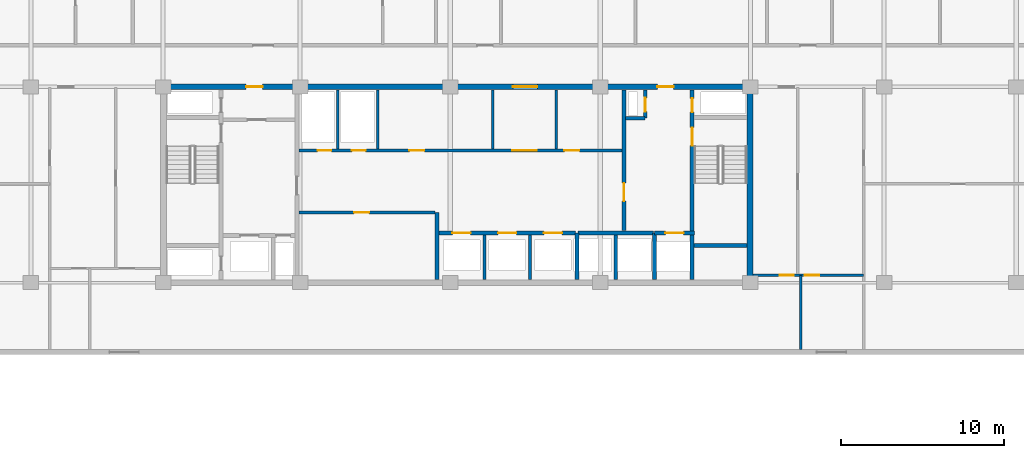
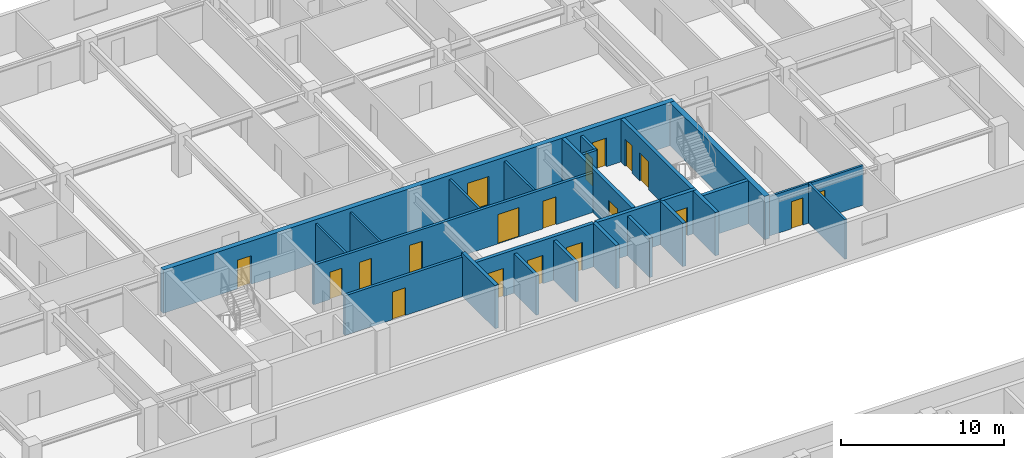
# One storey, part 12 of 22: 24 walls, 19 doors, 19 openings.
"""IFC4 building model written with IfcOpenShell, lengths in metres."""

from ifc_helpers import new_model, si_unit, direction, frame, frame_2d, origin, place, context, subcontext, project, spatial, rectangle, extrude, material, layer, layer_set, type_object, element, fill, save


model = new_model("IFC4")

# Units and contexts
model_context = context("Model", 3, precision=1e-05, world=origin(), true_north=direction((0.0, 1.0)))
body_context = subcontext(model_context, "Body", "Model", "MODEL_VIEW")
ifc_project = project(units=[si_unit("LENGTHUNIT", "METRE"), si_unit("AREAUNIT", "SQUARE_METRE"), si_unit("VOLUMEUNIT", "CUBIC_METRE"), si_unit("PLANEANGLEUNIT", "RADIAN"), si_unit("MASSUNIT", "GRAM", prefix="KILO")], contexts=[model_context])

# Site, building, storey
site_placement = place(None, origin())
site = spatial("IfcSite", under=ifc_project, at=site_placement, CompositionType="ELEMENT")
building_placement = place(site_placement, origin())
building = spatial("IfcBuilding", under=site, at=building_placement, Name="Korimba Cascade Residences", CompositionType="ELEMENT")
storey_placement = place(building_placement, frame((0.0, 0.0, 126.300048828125)))
storey = spatial("IfcBuildingStorey", under=building, at=storey_placement, Name="L36", CompositionType="ELEMENT", Elevation=126.300048828125)

# Wall
ifc_material_1 = material(Name="Concrete C65/80", Category="concrete")
ifc_layer_1 = layer(ifc_material_1, 0.35009765625)
ifc_layer_set_1 = layer_set([ifc_layer_1], Name="Concrete C65/80")
wall_type_1 = type_object("IfcWallType", Name="WAL-CORE-350", PredefinedType="SHEAR", material=ifc_layer_set_1)
wall_1_placement = place(storey_placement, frame((112.074951171875, 55.375, 0.0), z_axis=(0.0, 0.0, 1.0), x_axis=(0.0, 1.0, 0.0)))
element("IfcWall", 1, at=wall_1_placement, inside=storey, type_object=wall_type_1, Name="L36 Core Shear Wall CW-L36-T1-E", PredefinedType="SHEAR", context=body_context, shape_type="SweptSolid", body=[
    extrude(rectangle(XDim=11.64990234375, YDim=0.35009765625, at=frame_2d((5.824951171875, 0.0))), origin(), (0.0, 0.0, 1.0), 3.25),
])

# Wall, openings, doors
wall_2_placement = place(storey_placement, frame((75.949951171875, 67.199951171875, 0.0), z_axis=(0.0, 0.0, 1.0), x_axis=(1.0, 0.0, 0.0)))
wall_2 = element("IfcWall", 2, at=wall_2_placement, inside=storey, type_object=wall_type_1, Name="L36 Core Shear Wall CW-L36-T1-N", PredefinedType="SHEAR", context=body_context, shape_type="SweptSolid", body=[
    extrude(rectangle(XDim=36.300048828125, YDim=0.35009765625, at=frame_2d((18.14990234375, 0.0))), origin(), (0.0, 0.0, 1.0), 3.25),
])
opening_1_placement = place(wall_2_placement, frame((5.25, 0.0, 0.0)))
opening_1 = element("IfcOpeningElement", 3, at=opening_1_placement, cuts=wall_2, Name="Opening D-FD5", PredefinedType="OPENING", context=body_context, shape_type="SweptSolid", body=[
    extrude(rectangle(XDim=1.0, YDim=2.14990234375, at=frame_2d((0.5, 1.074951171875))), frame((0.0, 0.18505859375, 0.0), z_axis=(0.0, -1.0, 0.0), x_axis=(1.0, 0.0, 0.0)), (0.0, 0.0, 1.0), 0.3701171875),
])
opening_2_placement = place(wall_2_placement, frame((21.60009765625, 0.0, 0.0)))
opening_2 = element("IfcOpeningElement", 4, at=opening_2_placement, cuts=wall_2, Name="Opening D-FD8", PredefinedType="OPENING", context=body_context, shape_type="SweptSolid", body=[
    extrude(rectangle(XDim=1.5, YDim=2.199951171875, at=frame_2d((0.75, 1.10009765625))), frame((0.0, 0.18505859375, 0.0), z_axis=(0.0, -1.0, 0.0), x_axis=(1.0, 0.0, 0.0)), (0.0, 0.0, 1.0), 0.3701171875),
])
opening_3_placement = place(wall_2_placement, frame((30.449951171875, 0.0, 0.0)))
opening_3 = element("IfcOpeningElement", 5, at=opening_3_placement, cuts=wall_2, Name="Opening D-FD5", PredefinedType="OPENING", context=body_context, shape_type="SweptSolid", body=[
    extrude(rectangle(XDim=1.0, YDim=2.14990234375, at=frame_2d((0.5, 1.074951171875))), frame((0.0, 0.18505859375, 0.0), z_axis=(0.0, -1.0, 0.0), x_axis=(1.0, 0.0, 0.0)), (0.0, 0.0, 1.0), 0.3701171875),
])
ifc_material_2 = material(Name="Fire-Rated Acoustic Timber Vestibule Door", Category="wood")
door_type_1 = type_object("IfcDoorType", Name="DR-FD90-1000", OperationType="NOTDEFINED", PredefinedType="DOOR", material=ifc_material_2)
door_1_placement = place(opening_1_placement, origin())
door_1 = element("IfcDoor", 6, at=door_1_placement, inside=storey, type_object=door_type_1, Name="L36 T1 West Core Vestibule Fire Door", OperationType="SINGLE_SWING_RIGHT", OverallHeight=2.14990234375, OverallWidth=1.0, PredefinedType="DOOR", context=body_context, shape_type="SweptSolid", body=[
    extrude(rectangle(XDim=1.0, YDim=2.14990234375, at=frame_2d((0.5, 1.074951171875))), frame((0.0, 0.02490234375, 0.0), z_axis=(0.0, -1.0, 0.0), x_axis=(1.0, 0.0, 0.0)), (0.0, 0.0, 1.0), 0.050048828125),
])
fill(opening_1, door_1)
door_2_placement = place(opening_3_placement, origin())
door_2 = element("IfcDoor", 7, at=door_2_placement, inside=storey, type_object=door_type_1, Name="L36 T1 East Firefighting Vestibule Fire Door", OperationType="SINGLE_SWING_LEFT", OverallHeight=2.14990234375, OverallWidth=1.0, PredefinedType="DOOR", context=body_context, shape_type="SweptSolid", body=[
    extrude(rectangle(XDim=1.0, YDim=2.14990234375, at=frame_2d((0.5, 1.074951171875))), frame((0.0, 0.02490234375, 0.0), z_axis=(0.0, -1.0, 0.0), x_axis=(1.0, 0.0, 0.0)), (0.0, 0.0, 1.0), 0.050048828125),
])
fill(opening_3, door_2)
ifc_material_3 = material(Name="Fire-Rated Glazed Lift Lobby Double Door", Category="glass")
door_type_2 = type_object("IfcDoorType", Name="DR-FD90-1500", OperationType="NOTDEFINED", PredefinedType="DOOR", material=ifc_material_3)
door_3_placement = place(opening_2_placement, origin())
door_3 = element("IfcDoor", 8, at=door_3_placement, inside=storey, type_object=door_type_2, Name="L36 T1 Lift Lobby Fire Door", OperationType="DOUBLE_DOOR_SINGLE_SWING", OverallHeight=2.199951171875, OverallWidth=1.5, PredefinedType="DOOR", context=body_context, shape_type="SweptSolid", body=[
    extrude(rectangle(XDim=1.5, YDim=2.199951171875, at=frame_2d((0.75, 1.10009765625))), frame((0.0, 0.02490234375, 0.0), z_axis=(0.0, -1.0, 0.0), x_axis=(1.0, 0.0, 0.0)), (0.0, 0.0, 1.0), 0.050048828125),
])
fill(opening_2, door_3)

# Walls
ifc_material_4 = material(Name="Insulated Acoustic Stud Partition", Category="gypsum")
ifc_layer_2 = layer(ifc_material_4, 0.14990234375)
ifc_layer_set_2 = layer_set([ifc_layer_2], Name="Insulated Acoustic Stud Partition")
wall_type_2 = type_object("IfcWallType", Name="WAL-PART-150", PredefinedType="PARTITIONING", material=ifc_layer_set_2)
for number, where, z_axis, x_axis, name in (
    (9, (86.800048828125, 63.39990234375, 0.0), (0.0, 0.0, 1.0), (0.0, 1.0, 0.0), "L36 Partition Wall CW-L36-T1-ERDIV"),
    (10, (89.25, 63.39990234375, 0.0), (0.0, 0.0, 1.0), (0.0, 1.0, 0.0), "L36 Partition Wall CW-L36-T1-PRDIV"),
    (11, (96.300048828125, 63.39990234375, 0.0), (0.0, 0.0, 1.0), (0.0, 1.0, 0.0), "L36 Partition Wall CW-L36-T1-THW"),
    (12, (100.199951171875, 63.39990234375, 0.0), (0.0, 0.0, 1.0), (0.0, 1.0, 0.0), "L36 Partition Wall CW-L36-T1-THE"),
):
    element("IfcWall", number, at=place(storey_placement, frame(where, z_axis=z_axis, x_axis=x_axis)), inside=storey, type_object=wall_type_2, Name=name, PredefinedType="PARTITIONING", context=body_context, shape_type="SweptSolid", body=[
        extrude(rectangle(XDim=3.60009765625, YDim=0.14990234375, at=frame_2d((1.800048828125, 0.0))), origin(), (0.0, 0.0, 1.0), 2.969970703125),
    ])
wall_3_placement = place(storey_placement, frame((115.199951171875, 51.10009765625, 0.0), z_axis=(0.0, 0.0, 1.0), x_axis=(0.0, 1.0, 0.0)))
element("IfcWall", 13, at=wall_3_placement, inside=storey, type_object=wall_type_2, Name="L36 Partition Wall WAL-L36-T1-FE-VS", PredefinedType="PARTITIONING", context=body_context, shape_type="SweptSolid", body=[
    extrude(rectangle(XDim=4.5498046875, YDim=0.14990234375, at=frame_2d((2.27490234375, 0.0))), origin(), (0.0, 0.0, 1.0), 2.969970703125),
])

# Wall, openings, doors
wall_4_placement = place(storey_placement, frame((112.27001953125, 55.64990234375, 0.0), z_axis=(0.0, 0.0, 1.0), x_axis=(1.0, 0.0, 0.0)))
wall_4 = element("IfcWall", 14, at=wall_4_placement, inside=storey, type_object=wall_type_2, Name="L36 Partition Wall WAL-L36-T1-FE-H", PredefinedType="PARTITIONING", context=body_context, shape_type="SweptSolid", body=[
    extrude(rectangle(XDim=6.760009765625, YDim=0.14990234375, at=frame_2d((3.3798828125, 0.0))), origin(), (0.0, 0.0, 1.0), 2.969970703125),
])
opening_4_placement = place(wall_4_placement, frame((1.6396484375, 0.0, 0.0)))
opening_4 = element("IfcOpeningElement", 15, at=opening_4_placement, cuts=wall_4, Name="Opening D-BT1", PredefinedType="OPENING", context=body_context, shape_type="SweptSolid", body=[
    extrude(rectangle(XDim=0.840087890625, YDim=2.0400390625, at=frame_2d((0.419921875, 1.02001953125))), frame((0.0, 0.0849609375, 0.0), z_axis=(0.0, -1.0, 0.0), x_axis=(1.0, 0.0, 0.0)), (0.0, 0.0, 1.0), 0.169921875),
])
opening_5_placement = place(wall_4_placement, frame((3.160400390625, 0.0, 0.0)))
opening_5 = element("IfcOpeningElement", 16, at=opening_5_placement, cuts=wall_4, Name="Opening D-IN2", PredefinedType="OPENING", context=body_context, shape_type="SweptSolid", body=[
    extrude(rectangle(XDim=0.8798828125, YDim=2.06005859375, at=frame_2d((0.43994140625, 1.030029296875))), frame((0.0, 0.0849609375, 0.0), z_axis=(0.0, -1.0, 0.0), x_axis=(1.0, 0.0, 0.0)), (0.0, 0.0, 1.0), 0.169921875),
])
ifc_material_5 = material(Name="Moisture-Resistant Bathroom Timber Door", Category="wood")
door_type_3 = type_object("IfcDoorType", Name="DR-INT-850", OperationType="NOTDEFINED", PredefinedType="DOOR", material=ifc_material_5)
door_4_placement = place(opening_4_placement, origin())
door_4 = element("IfcDoor", 17, at=door_4_placement, inside=storey, type_object=door_type_3, Name="L36-T1-FE Bathroom Door", OperationType="SINGLE_SWING_RIGHT", OverallHeight=2.0400390625, OverallWidth=0.840087890625, PredefinedType="DOOR", context=body_context, shape_type="SweptSolid", body=[
    extrude(rectangle(XDim=0.840087890625, YDim=2.0400390625, at=frame_2d((0.419921875, 1.02001953125))), frame((0.0, 0.02490234375, 0.0), z_axis=(0.0, -1.0, 0.0), x_axis=(1.0, 0.0, 0.0)), (0.0, 0.0, 1.0), 0.050048828125),
])
fill(opening_4, door_4)
ifc_material_6 = material(Name="Acoustic Timber Bedroom Door", Category="wood")
door_type_4 = type_object("IfcDoorType", Name="DR-INT-880", OperationType="NOTDEFINED", PredefinedType="DOOR", material=ifc_material_6)
door_5_placement = place(opening_5_placement, origin())
door_5 = element("IfcDoor", 18, at=door_5_placement, inside=storey, type_object=door_type_4, Name="L36-T1-FE Bedroom Door", OperationType="SINGLE_SWING_LEFT", OverallHeight=2.06005859375, OverallWidth=0.8798828125, PredefinedType="DOOR", context=body_context, shape_type="SweptSolid", body=[
    extrude(rectangle(XDim=0.8798828125, YDim=2.06005859375, at=frame_2d((0.43994140625, 1.030029296875))), frame((0.0, 0.02490234375, 0.0), z_axis=(0.0, -1.0, 0.0), x_axis=(1.0, 0.0, 0.0)), (0.0, 0.0, 1.0), 0.050048828125),
])
fill(opening_5, door_5)

# Wall, opening, door
ifc_material_7 = material(Name="Concrete C40/50", Category="concrete")
ifc_layer_3 = layer(ifc_material_7, 0.199951171875)
ifc_layer_set_3 = layer_set([ifc_layer_3], Name="Concrete C40/50")
wall_type_3 = type_object("IfcWallType", Name="WAL-PART-200", PredefinedType="PARTITIONING", material=ifc_layer_set_3)
wall_5_placement = place(storey_placement, frame((84.419921875, 59.5, 0.0), z_axis=(0.0, 0.0, 1.0), x_axis=(1.0, 0.0, 0.0)))
wall_5 = element("IfcWall", 19, at=wall_5_placement, inside=storey, type_object=wall_type_3, Name="L36 Partition Wall CW-L36-T1-B1RN", PredefinedType="PARTITIONING", context=body_context, shape_type="SweptSolid", body=[
    extrude(rectangle(XDim=8.360107421875, YDim=0.199951171875, at=frame_2d((4.18017578125, 0.0))), origin(), (0.0, 0.0, 1.0), 2.969970703125),
])
opening_6_placement = place(wall_5_placement, frame((3.39990234375, 0.0, 0.0)))
opening_6 = element("IfcOpeningElement", 20, at=opening_6_placement, cuts=wall_5, Name="Opening D-ST1", PredefinedType="OPENING", context=body_context, shape_type="SweptSolid", body=[
    extrude(rectangle(XDim=0.919921875, YDim=2.080078125, at=frame_2d((0.4599609375, 1.0400390625))), frame((0.0, 0.10986328125, 0.0), z_axis=(0.0, -1.0, 0.0), x_axis=(1.0, 0.0, 0.0)), (0.0, 0.0, 1.0), 0.219970703125),
])
ifc_material_8 = material(Name="Fire-Rated Core Store Door", Category="wood")
door_type_5 = type_object("IfcDoorType", Name="DR-FD60-920", OperationType="NOTDEFINED", PredefinedType="DOOR", material=ifc_material_8)
door_6_placement = place(opening_6_placement, origin())
door_6 = element("IfcDoor", 21, at=door_6_placement, inside=storey, type_object=door_type_5, Name="L36 Resident Storage Door", OperationType="SINGLE_SWING_RIGHT", OverallHeight=2.080078125, OverallWidth=0.919921875, PredefinedType="DOOR", context=body_context, shape_type="SweptSolid", body=[
    extrude(rectangle(XDim=0.919921875, YDim=2.080078125, at=frame_2d((0.4599609375, 1.0400390625))), frame((0.0, 0.02490234375, 0.0), z_axis=(0.0, -1.0, 0.0), x_axis=(1.0, 0.0, 0.0)), (0.0, 0.0, 1.0), 0.050048828125),
])
fill(opening_6, door_6)

# Walls
for number, where, z_axis, x_axis, name in (
    (22, (95.800048828125, 55.39990234375, 0.0), (0.0, 0.0, 1.0), (0.0, 1.0, 0.0), "L36 Partition Wall CW-L36-T1-B2D1"),
    (23, (98.60009765625, 55.39990234375, 0.0), (0.0, 0.0, 1.0), (0.0, 1.0, 0.0), "L36 Partition Wall CW-L36-T1-B2D2"),
    (24, (103.85009765625, 55.39990234375, 0.0), (0.0, 0.0, 1.0), (0.0, 1.0, 0.0), "L36 Partition Wall CW-L36-T1-B3D1"),
):
    element("IfcWall", number, at=place(storey_placement, frame(where, z_axis=z_axis, x_axis=x_axis)), inside=storey, type_object=wall_type_3, Name=name, PredefinedType="PARTITIONING", context=body_context, shape_type="SweptSolid", body=[
        extrude(rectangle(XDim=2.72021484375, YDim=0.199951171875, at=frame_2d((1.360107421875, 0.0))), origin(), (0.0, 0.0, 1.0), 2.969970703125),
    ])

# Wall, openings, doors
wall_6_placement = place(storey_placement, frame((84.419921875, 63.300048828125, 0.0), z_axis=(0.0, 0.0, 1.0), x_axis=(1.0, 0.0, 0.0)))
wall_6 = element("IfcWall", 25, at=wall_6_placement, inside=storey, type_object=wall_type_3, Name="L36 Partition Wall CW-L36-T1-SRVROW", PredefinedType="PARTITIONING", context=body_context, shape_type="SweptSolid", body=[
    extrude(rectangle(XDim=19.830078125, YDim=0.199951171875, at=frame_2d((9.9150390625, 0.0))), origin(), (0.0, 0.0, 1.0), 2.969970703125),
])
opening_7_placement = place(wall_6_placement, frame((1.14990234375, 0.0, 0.0)))
opening_7 = element("IfcOpeningElement", 26, at=opening_7_placement, cuts=wall_6, Name="Opening D-RS1", PredefinedType="OPENING", context=body_context, shape_type="SweptSolid", body=[
    extrude(rectangle(XDim=0.85009765625, YDim=2.050048828125, at=frame_2d((0.425048828125, 1.02490234375))), frame((0.0, 0.10986328125, 0.0), z_axis=(0.0, -1.0, 0.0), x_axis=(1.0, 0.0, 0.0)), (0.0, 0.0, 1.0), 0.219970703125),
])
opening_8_placement = place(wall_6_placement, frame((3.25, 0.0, 0.0)))
opening_8 = element("IfcOpeningElement", 27, at=opening_8_placement, cuts=wall_6, Name="Opening D-RS1", PredefinedType="OPENING", context=body_context, shape_type="SweptSolid", body=[
    extrude(rectangle(XDim=0.85009765625, YDim=2.050048828125, at=frame_2d((0.425048828125, 1.02490234375))), frame((0.0, 0.10986328125, 0.0), z_axis=(0.0, -1.0, 0.0), x_axis=(1.0, 0.0, 0.0)), (0.0, 0.0, 1.0), 0.219970703125),
])
opening_9_placement = place(wall_6_placement, frame((13.080078125, 0.0, 0.0)))
opening_9 = element("IfcOpeningElement", 28, at=opening_9_placement, cuts=wall_6, Name="Opening D-FD8", PredefinedType="OPENING", context=body_context, shape_type="SweptSolid", body=[
    extrude(rectangle(XDim=1.5, YDim=2.199951171875, at=frame_2d((0.75, 1.10009765625))), frame((0.0, 0.10986328125, 0.0), z_axis=(0.0, -1.0, 0.0), x_axis=(1.0, 0.0, 0.0)), (0.0, 0.0, 1.0), 0.219970703125),
])
opening_10_placement = place(wall_6_placement, frame((6.780029296875, 0.0, 0.0)))
opening_10 = element("IfcOpeningElement", 29, at=opening_10_placement, cuts=wall_6, Name="Opening D-IN1", PredefinedType="OPENING", context=body_context, shape_type="SweptSolid", body=[
    extrude(rectangle(XDim=0.919921875, YDim=2.080078125, at=frame_2d((0.4599609375, 1.0400390625))), frame((0.0, 0.10986328125, 0.0), z_axis=(0.0, -1.0, 0.0), x_axis=(1.0, 0.0, 0.0)), (0.0, 0.0, 1.0), 0.219970703125),
])
opening_11_placement = place(wall_6_placement, frame((16.280029296875, 0.0, 0.0)))
opening_11 = element("IfcOpeningElement", 30, at=opening_11_placement, cuts=wall_6, Name="Opening D-IN1", PredefinedType="OPENING", context=body_context, shape_type="SweptSolid", body=[
    extrude(rectangle(XDim=0.919921875, YDim=2.080078125, at=frame_2d((0.4599609375, 1.0400390625))), frame((0.0, 0.10986328125, 0.0), z_axis=(0.0, -1.0, 0.0), x_axis=(1.0, 0.0, 0.0)), (0.0, 0.0, 1.0), 0.219970703125),
])
ifc_material_9 = material(Name="Fire-Rated Steel Riser Access Door", Category="steel")
door_type_6 = type_object("IfcDoorType", Name="DR-FD60-850", OperationType="NOTDEFINED", PredefinedType="DOOR", material=ifc_material_9)
door_7_placement = place(opening_7_placement, origin())
door_7 = element("IfcDoor", 31, at=door_7_placement, inside=storey, type_object=door_type_6, Name="L36 Electrical Riser Door", OperationType="SINGLE_SWING_LEFT", OverallHeight=2.050048828125, OverallWidth=0.85009765625, PredefinedType="DOOR", context=body_context, shape_type="SweptSolid", body=[
    extrude(rectangle(XDim=0.85009765625, YDim=2.050048828125, at=frame_2d((0.425048828125, 1.02490234375))), frame((0.0, 0.02490234375, 0.0), z_axis=(0.0, -1.0, 0.0), x_axis=(1.0, 0.0, 0.0)), (0.0, 0.0, 1.0), 0.050048828125),
])
fill(opening_7, door_7)
door_8_placement = place(opening_8_placement, origin())
door_8 = element("IfcDoor", 32, at=door_8_placement, inside=storey, type_object=door_type_6, Name="L36 Plumbing Riser Door", OperationType="SINGLE_SWING_RIGHT", OverallHeight=2.050048828125, OverallWidth=0.85009765625, PredefinedType="DOOR", context=body_context, shape_type="SweptSolid", body=[
    extrude(rectangle(XDim=0.85009765625, YDim=2.050048828125, at=frame_2d((0.425048828125, 1.02490234375))), frame((0.0, 0.02490234375, 0.0), z_axis=(0.0, -1.0, 0.0), x_axis=(1.0, 0.0, 0.0)), (0.0, 0.0, 1.0), 0.050048828125),
])
fill(opening_8, door_8)
door_9_placement = place(opening_9_placement, origin())
door_9 = element("IfcDoor", 33, at=door_9_placement, inside=storey, type_object=door_type_2, Name="L36 Lift Lobby Foyer Archway Door", OperationType="DOUBLE_DOOR_SINGLE_SWING", OverallHeight=2.199951171875, OverallWidth=1.5, PredefinedType="DOOR", context=body_context, shape_type="SweptSolid", body=[
    extrude(rectangle(XDim=1.5, YDim=2.199951171875, at=frame_2d((0.75, 1.10009765625))), frame((0.0, 0.02490234375, 0.0), z_axis=(0.0, -1.0, 0.0), x_axis=(1.0, 0.0, 0.0)), (0.0, 0.0, 1.0), 0.050048828125),
])
fill(opening_9, door_9)
ifc_material_10 = material(Name="Acoustic Timber Living Door", Category="wood")
door_type_7 = type_object("IfcDoorType", Name="DR-INT-920", OperationType="NOTDEFINED", PredefinedType="DOOR", material=ifc_material_10)
door_10_placement = place(opening_10_placement, origin())
door_10 = element("IfcDoor", 34, at=door_10_placement, inside=storey, type_object=door_type_7, Name="L36 Housekeeping Door", OperationType="SINGLE_SWING_LEFT", OverallHeight=2.080078125, OverallWidth=0.919921875, PredefinedType="DOOR", context=body_context, shape_type="SweptSolid", body=[
    extrude(rectangle(XDim=0.919921875, YDim=2.080078125, at=frame_2d((0.4599609375, 1.0400390625))), frame((0.0, 0.02490234375, 0.0), z_axis=(0.0, -1.0, 0.0), x_axis=(1.0, 0.0, 0.0)), (0.0, 0.0, 1.0), 0.050048828125),
])
fill(opening_10, door_10)
door_11_placement = place(opening_11_placement, origin())
door_11 = element("IfcDoor", 35, at=door_11_placement, inside=storey, type_object=door_type_7, Name="L36 Store Door", OperationType="SINGLE_SWING_RIGHT", OverallHeight=2.080078125, OverallWidth=0.919921875, PredefinedType="DOOR", context=body_context, shape_type="SweptSolid", body=[
    extrude(rectangle(XDim=0.919921875, YDim=2.080078125, at=frame_2d((0.4599609375, 1.0400390625))), frame((0.0, 0.02490234375, 0.0), z_axis=(0.0, -1.0, 0.0), x_axis=(1.0, 0.0, 0.0)), (0.0, 0.0, 1.0), 0.050048828125),
])
fill(opening_11, door_11)

# Wall
wall_7_placement = place(storey_placement, frame((104.449951171875, 65.280029296875, 0.0), z_axis=(0.0, 0.0, 1.0), x_axis=(1.0, 0.0, 0.0)))
element("IfcWall", 36, at=wall_7_placement, inside=storey, type_object=wall_type_3, Name="L36 Partition Wall CW-L36-T1-HYDW2S", PredefinedType="PARTITIONING", context=body_context, shape_type="SweptSolid", body=[
    extrude(rectangle(XDim=1.199951171875, YDim=0.199951171875, at=frame_2d((0.60009765625, 0.0))), origin(), (0.0, 0.0, 1.0), 2.969970703125),
])

# Wall, opening, door
wall_8_placement = place(storey_placement, frame((105.64990234375, 65.280029296875, 0.0), z_axis=(0.0, 0.0, 1.0), x_axis=(0.0, 1.0, 0.0)))
wall_8 = element("IfcWall", 37, at=wall_8_placement, inside=storey, type_object=wall_type_3, Name="L36 Partition Wall CW-L36-T1-HYDW2E", PredefinedType="PARTITIONING", context=body_context, shape_type="SweptSolid", body=[
    extrude(rectangle(XDim=1.719970703125, YDim=0.199951171875, at=frame_2d((0.85986328125, 0.0))), origin(), (0.0, 0.0, 1.0), 2.969970703125),
])
opening_12_placement = place(wall_8_placement, frame((0.39990234375, 0.0, 0.0)))
opening_12 = element("IfcOpeningElement", 38, at=opening_12_placement, cuts=wall_8, Name="Opening D-RS1", PredefinedType="OPENING", context=body_context, shape_type="SweptSolid", body=[
    extrude(rectangle(XDim=0.85009765625, YDim=2.050048828125, at=frame_2d((0.425048828125, 1.02490234375))), frame((0.0, 0.10986328125, 0.0), z_axis=(0.0, -1.0, 0.0), x_axis=(1.0, 0.0, 0.0)), (0.0, 0.0, 1.0), 0.219970703125),
])
door_12_placement = place(opening_12_placement, origin())
door_12 = element("IfcDoor", 39, at=door_12_placement, inside=storey, type_object=door_type_6, Name="L36 East Hydrant Door", OperationType="SINGLE_SWING_LEFT", OverallHeight=2.050048828125, OverallWidth=0.85009765625, PredefinedType="DOOR", context=body_context, shape_type="SweptSolid", body=[
    extrude(rectangle(XDim=0.85009765625, YDim=2.050048828125, at=frame_2d((0.425048828125, 1.02490234375))), frame((0.0, 0.02490234375, 0.0), z_axis=(0.0, -1.0, 0.0), x_axis=(1.0, 0.0, 0.0)), (0.0, 0.0, 1.0), 0.050048828125),
])
fill(opening_12, door_12)

# Wall
ifc_material_11 = material(Name="Concrete C50/60", Category="concrete")
ifc_layer_4 = layer(ifc_material_11, 0.25)
ifc_layer_set_4 = layer_set([ifc_layer_4], Name="Concrete C50/60")
wall_type_4 = type_object("IfcWallType", Name="WAL-SHAFT-250", PredefinedType="SHEAR", material=ifc_layer_set_4)
wall_9_placement = place(storey_placement, frame((92.89990234375, 55.39990234375, 0.0), z_axis=(0.0, 0.0, 1.0), x_axis=(0.0, 1.0, 0.0)))
element("IfcWall", 40, at=wall_9_placement, inside=storey, type_object=wall_type_4, Name="L36 Core Shear Wall CW-L36-T1-B12DIV", PredefinedType="SHEAR", context=body_context, shape_type="SweptSolid", body=[
    extrude(rectangle(XDim=4.10009765625, YDim=0.25, at=frame_2d((2.050048828125, 0.0))), origin(), (0.0, 0.0, 1.0), 3.25),
])

# Wall, openings, doors
wall_10_placement = place(storey_placement, frame((93.02001953125, 58.25, 0.0), z_axis=(0.0, 0.0, 1.0), x_axis=(1.0, 0.0, 0.0)))
wall_10 = element("IfcWall", 41, at=wall_10_placement, inside=storey, type_object=wall_type_4, Name="L36 Core Shear Wall CW-L36-T1-B2N", PredefinedType="SHEAR", context=body_context, shape_type="SweptSolid", body=[
    extrude(rectangle(XDim=8.35986328125, YDim=0.25, at=frame_2d((4.179931640625, 0.0))), origin(), (0.0, 0.0, 1.0), 3.25),
])
opening_13_placement = place(wall_10_placement, frame((0.820068359375, 0.0, 0.0)))
opening_13 = element("IfcOpeningElement", 42, at=opening_13_placement, cuts=wall_10, Name="Opening LD-01", PredefinedType="OPENING", context=body_context, shape_type="SweptSolid", body=[
    extrude(rectangle(XDim=1.1201171875, YDim=2.1201171875, at=frame_2d((0.56005859375, 1.06005859375))), frame((0.0, 0.135009765625, 0.0), z_axis=(0.0, -1.0, 0.0), x_axis=(1.0, 0.0, 0.0)), (0.0, 0.0, 1.0), 0.27001953125),
])
opening_14_placement = place(wall_10_placement, frame((3.6201171875, 0.0, 0.0)))
opening_14 = element("IfcOpeningElement", 43, at=opening_14_placement, cuts=wall_10, Name="Opening LD-01", PredefinedType="OPENING", context=body_context, shape_type="SweptSolid", body=[
    extrude(rectangle(XDim=1.1201171875, YDim=2.1201171875, at=frame_2d((0.56005859375, 1.06005859375))), frame((0.0, 0.135009765625, 0.0), z_axis=(0.0, -1.0, 0.0), x_axis=(1.0, 0.0, 0.0)), (0.0, 0.0, 1.0), 0.27001953125),
])
opening_15_placement = place(wall_10_placement, frame((6.419921875, 0.0, 0.0)))
opening_15 = element("IfcOpeningElement", 44, at=opening_15_placement, cuts=wall_10, Name="Opening LD-01", PredefinedType="OPENING", context=body_context, shape_type="SweptSolid", body=[
    extrude(rectangle(XDim=1.1201171875, YDim=2.1201171875, at=frame_2d((0.56005859375, 1.06005859375))), frame((0.0, 0.135009765625, 0.0), z_axis=(0.0, -1.0, 0.0), x_axis=(1.0, 0.0, 0.0)), (0.0, 0.0, 1.0), 0.27001953125),
])
ifc_material_12 = material(Name="Stainless Steel Lift Landing Sliding Door", Category="steel")
door_type_8 = type_object("IfcDoorType", Name="DR-LIFT-1100", OperationType="NOTDEFINED", PredefinedType="DOOR", material=ifc_material_12)
door_13_placement = place(opening_13_placement, origin())
door_13 = element("IfcDoor", 45, at=door_13_placement, inside=storey, type_object=door_type_8, Name="L36 Lift Landing Door PL-W4", OperationType="SLIDING_TO_RIGHT", OverallHeight=2.1201171875, OverallWidth=1.1201171875, PredefinedType="DOOR", context=body_context, shape_type="SweptSolid", body=[
    extrude(rectangle(XDim=1.1201171875, YDim=2.1201171875, at=frame_2d((0.56005859375, 1.06005859375))), frame((0.0, 0.02490234375, 0.0), z_axis=(0.0, -1.0, 0.0), x_axis=(1.0, 0.0, 0.0)), (0.0, 0.0, 1.0), 0.050048828125),
])
fill(opening_13, door_13)
door_14_placement = place(opening_14_placement, origin())
door_14 = element("IfcDoor", 46, at=door_14_placement, inside=storey, type_object=door_type_8, Name="L36 Lift Landing Door PL-W5", OperationType="SLIDING_TO_RIGHT", OverallHeight=2.1201171875, OverallWidth=1.1201171875, PredefinedType="DOOR", context=body_context, shape_type="SweptSolid", body=[
    extrude(rectangle(XDim=1.1201171875, YDim=2.1201171875, at=frame_2d((0.56005859375, 1.06005859375))), frame((0.0, 0.02490234375, 0.0), z_axis=(0.0, -1.0, 0.0), x_axis=(1.0, 0.0, 0.0)), (0.0, 0.0, 1.0), 0.050048828125),
])
fill(opening_14, door_14)
door_15_placement = place(opening_15_placement, origin())
door_15 = element("IfcDoor", 47, at=door_15_placement, inside=storey, type_object=door_type_8, Name="L36 Lift Landing Door PL-W6", OperationType="SLIDING_TO_RIGHT", OverallHeight=2.1201171875, OverallWidth=1.1201171875, PredefinedType="DOOR", context=body_context, shape_type="SweptSolid", body=[
    extrude(rectangle(XDim=1.1201171875, YDim=2.1201171875, at=frame_2d((0.56005859375, 1.06005859375))), frame((0.0, 0.02490234375, 0.0), z_axis=(0.0, -1.0, 0.0), x_axis=(1.0, 0.0, 0.0)), (0.0, 0.0, 1.0), 0.050048828125),
])
fill(opening_15, door_15)

# Walls
wall_11_placement = place(storey_placement, frame((101.47998046875, 55.39990234375, 0.0), z_axis=(0.0, 0.0, 1.0), x_axis=(0.0, 1.0, 0.0)))
element("IfcWall", 48, at=wall_11_placement, inside=storey, type_object=wall_type_4, Name="L36 Core Shear Wall CW-L36-T1-B23DIV", PredefinedType="SHEAR", context=body_context, shape_type="SweptSolid", body=[
    extrude(rectangle(XDim=2.85009765625, YDim=0.25, at=frame_2d((1.425048828125, 0.0))), origin(), (0.0, 0.0, 1.0), 3.25),
])
wall_12_placement = place(storey_placement, frame((101.550048828125, 58.25, 0.0), z_axis=(0.0, 0.0, 1.0), x_axis=(1.0, 0.0, 0.0)))
element("IfcWall", 49, at=wall_12_placement, inside=storey, type_object=wall_type_4, Name="L36 Core Shear Wall CW-L36-T1-B3N", PredefinedType="SHEAR", context=body_context, shape_type="SweptSolid", body=[
    extrude(rectangle(XDim=4.599853515625, YDim=0.25, at=frame_2d((2.2998046875, 0.0))), origin(), (0.0, 0.0, 1.0), 3.25),
])
wall_13_placement = place(storey_placement, frame((106.219970703125, 55.39990234375, 0.0), z_axis=(0.0, 0.0, 1.0), x_axis=(0.0, 1.0, 0.0)))
element("IfcWall", 50, at=wall_13_placement, inside=storey, type_object=wall_type_4, Name="L36 Core Shear Wall CW-L36-T1-FF2W", PredefinedType="SHEAR", context=body_context, shape_type="SweptSolid", body=[
    extrude(rectangle(XDim=2.85009765625, YDim=0.25, at=frame_2d((1.425048828125, 0.0))), origin(), (0.0, 0.0, 1.0), 3.25),
])

# Wall, opening, door
wall_14_placement = place(storey_placement, frame((106.219970703125, 58.25, 0.0), z_axis=(0.0, 0.0, 1.0), x_axis=(1.0, 0.0, 0.0)))
wall_14 = element("IfcWall", 51, at=wall_14_placement, inside=storey, type_object=wall_type_4, Name="L36 Core Shear Wall CW-L36-T1-FF2N", PredefinedType="SHEAR", context=body_context, shape_type="SweptSolid", body=[
    extrude(rectangle(XDim=2.4599609375, YDim=0.25, at=frame_2d((1.22998046875, 0.0))), origin(), (0.0, 0.0, 1.0), 3.25),
])
opening_16_placement = place(wall_14_placement, frame((0.669921875, 0.0, 0.0)))
opening_16 = element("IfcOpeningElement", 52, at=opening_16_placement, cuts=wall_14, Name="Opening LD-01", PredefinedType="OPENING", context=body_context, shape_type="SweptSolid", body=[
    extrude(rectangle(XDim=1.1201171875, YDim=2.1201171875, at=frame_2d((0.56005859375, 1.06005859375))), frame((0.0, 0.135009765625, 0.0), z_axis=(0.0, -1.0, 0.0), x_axis=(1.0, 0.0, 0.0)), (0.0, 0.0, 1.0), 0.27001953125),
])
door_16_placement = place(opening_16_placement, origin())
door_16 = element("IfcDoor", 53, at=door_16_placement, inside=storey, type_object=door_type_8, Name="L36 Firefighting Lift Landing Door FFL-W2", OperationType="SLIDING_TO_RIGHT", OverallHeight=2.1201171875, OverallWidth=1.1201171875, PredefinedType="DOOR", context=body_context, shape_type="SweptSolid", body=[
    extrude(rectangle(XDim=1.1201171875, YDim=2.1201171875, at=frame_2d((0.56005859375, 1.06005859375))), frame((0.0, 0.02490234375, 0.0), z_axis=(0.0, -1.0, 0.0), x_axis=(1.0, 0.0, 0.0)), (0.0, 0.0, 1.0), 0.050048828125),
])
fill(opening_16, door_16)

wall_15_placement = place(storey_placement, frame((104.35009765625, 58.39990234375, 0.0), z_axis=(0.0, 0.0, 1.0), x_axis=(0.0, 1.0, 0.0)))
wall_15 = element("IfcWall", 54, at=wall_15_placement, inside=storey, type_object=wall_type_4, Name="L36 Core Shear Wall CW-L36-T1-LLEV", PredefinedType="SHEAR", context=body_context, shape_type="SweptSolid", body=[
    extrude(rectangle(XDim=8.60009765625, YDim=0.25, at=frame_2d((4.300048828125, 0.0))), origin(), (0.0, 0.0, 1.0), 3.25),
])
opening_17_placement = place(wall_15_placement, frame((1.800048828125, 0.0, 0.0)))
opening_17 = element("IfcOpeningElement", 55, at=opening_17_placement, cuts=wall_15, Name="Opening D-FD1", PredefinedType="OPENING", context=body_context, shape_type="SweptSolid", body=[
    extrude(rectangle(XDim=1.10009765625, YDim=2.10009765625, at=frame_2d((0.550048828125, 1.050048828125))), frame((0.0, 0.135009765625, 0.0), z_axis=(0.0, -1.0, 0.0), x_axis=(1.0, 0.0, 0.0)), (0.0, 0.0, 1.0), 0.27001953125),
])
ifc_material_13 = material(Name="Fire-Rated Steel Core Door", Category="steel")
door_type_9 = type_object("IfcDoorType", Name="DR-FD120-1100", OperationType="NOTDEFINED", PredefinedType="DOOR", material=ifc_material_13)
door_17_placement = place(opening_17_placement, origin())
door_17 = element("IfcDoor", 56, at=door_17_placement, inside=storey, type_object=door_type_9, Name="L36 Lift Lobby to East Firefighting Lobby Door", OperationType="SINGLE_SWING_RIGHT", OverallHeight=2.10009765625, OverallWidth=1.10009765625, PredefinedType="DOOR", context=body_context, shape_type="SweptSolid", body=[
    extrude(rectangle(XDim=1.10009765625, YDim=2.10009765625, at=frame_2d((0.550048828125, 1.050048828125))), frame((0.0, 0.02490234375, 0.0), z_axis=(0.0, -1.0, 0.0), x_axis=(1.0, 0.0, 0.0)), (0.0, 0.0, 1.0), 0.050048828125),
])
fill(opening_17, door_17)

# Wall, openings, doors
wall_16_placement = place(storey_placement, frame((108.534912109375, 55.39990234375, 0.0), z_axis=(0.0, 0.0, 1.0), x_axis=(0.0, 1.0, 0.0)))
wall_16 = element("IfcWall", 57, at=wall_16_placement, inside=storey, type_object=wall_type_4, Name="L36 Core Shear Wall CW-L36-T1-STW2W", PredefinedType="SHEAR", context=body_context, shape_type="SweptSolid", body=[
    extrude(rectangle(XDim=11.60009765625, YDim=0.25, at=frame_2d((5.800048828125, 0.0))), origin(), (0.0, 0.0, 1.0), 3.25),
])
opening_18_placement = place(wall_16_placement, frame((8.199951171875, 0.0, 0.0)))
opening_18 = element("IfcOpeningElement", 58, at=opening_18_placement, cuts=wall_16, Name="Opening D-FD1", PredefinedType="OPENING", context=body_context, shape_type="SweptSolid", body=[
    extrude(rectangle(XDim=1.10009765625, YDim=2.10009765625, at=frame_2d((0.550048828125, 1.050048828125))), frame((0.0, 0.135009765625, 0.0), z_axis=(0.0, -1.0, 0.0), x_axis=(1.0, 0.0, 0.0)), (0.0, 0.0, 1.0), 0.27001953125),
])
opening_19_placement = place(wall_16_placement, frame((10.25, 0.0, 0.0)))
opening_19 = element("IfcOpeningElement", 59, at=opening_19_placement, cuts=wall_16, Name="Opening D-RS1", PredefinedType="OPENING", context=body_context, shape_type="SweptSolid", body=[
    extrude(rectangle(XDim=0.85009765625, YDim=2.050048828125, at=frame_2d((0.425048828125, 1.02490234375))), frame((0.0, 0.135009765625, 0.0), z_axis=(0.0, -1.0, 0.0), x_axis=(1.0, 0.0, 0.0)), (0.0, 0.0, 1.0), 0.27001953125),
])
door_18_placement = place(opening_18_placement, origin())
door_18 = element("IfcDoor", 60, at=door_18_placement, inside=storey, type_object=door_type_9, Name="L36 Fire Stair ST-W2 Door", OperationType="SINGLE_SWING_LEFT", OverallHeight=2.10009765625, OverallWidth=1.10009765625, PredefinedType="DOOR", context=body_context, shape_type="SweptSolid", body=[
    extrude(rectangle(XDim=1.10009765625, YDim=2.10009765625, at=frame_2d((0.550048828125, 1.050048828125))), frame((0.0, 0.02490234375, 0.0), z_axis=(0.0, -1.0, 0.0), x_axis=(1.0, 0.0, 0.0)), (0.0, 0.0, 1.0), 0.050048828125),
])
fill(opening_18, door_18)
door_19_placement = place(opening_19_placement, origin())
door_19 = element("IfcDoor", 61, at=door_19_placement, inside=storey, type_object=door_type_6, Name="L36 East Riser Door", OperationType="SINGLE_SWING_RIGHT", OverallHeight=2.050048828125, OverallWidth=0.85009765625, PredefinedType="DOOR", context=body_context, shape_type="SweptSolid", body=[
    extrude(rectangle(XDim=0.85009765625, YDim=2.050048828125, at=frame_2d((0.425048828125, 1.02490234375))), frame((0.0, 0.02490234375, 0.0), z_axis=(0.0, -1.0, 0.0), x_axis=(1.0, 0.0, 0.0)), (0.0, 0.0, 1.0), 0.050048828125),
])
fill(opening_19, door_19)

# Wall
wall_17_placement = place(storey_placement, frame((108.659912109375, 57.47509765625, 0.0), z_axis=(0.0, 0.0, 1.0), x_axis=(1.0, 0.0, 0.0)))
element("IfcWall", 62, at=wall_17_placement, inside=storey, type_object=wall_type_4, Name="L36 Core Shear Wall CW-L36-T1-STW2S", PredefinedType="SHEAR", context=body_context, shape_type="SweptSolid", body=[
    extrude(rectangle(XDim=3.239990234375, YDim=0.25, at=frame_2d((1.6201171875, 0.0))), origin(), (0.0, 0.0, 1.0), 3.25),
])

save(model, "model.ifc")
